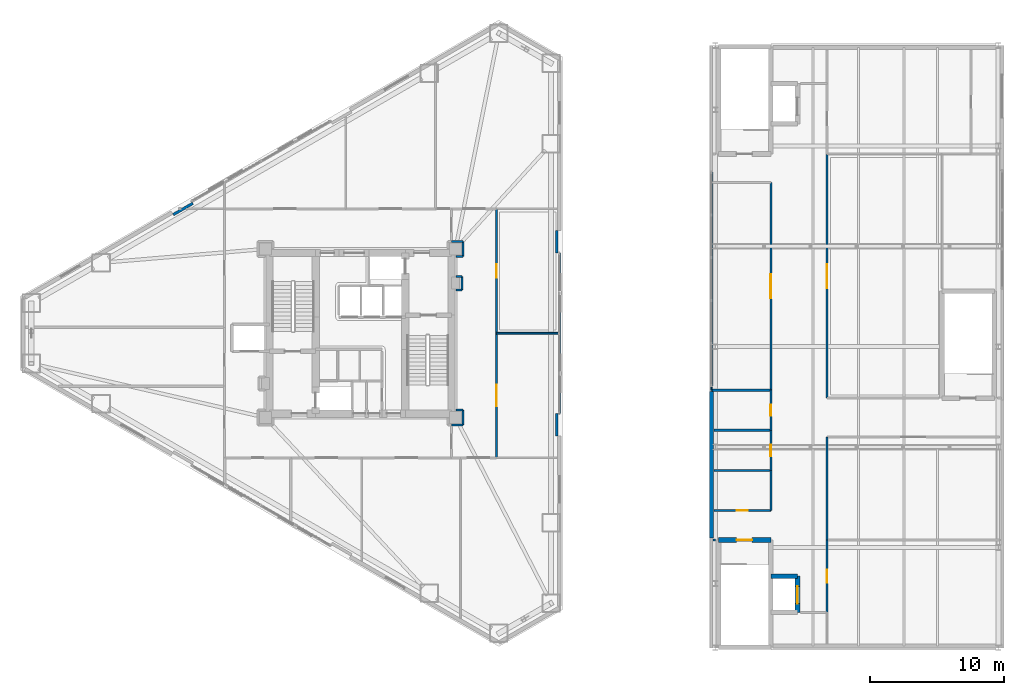
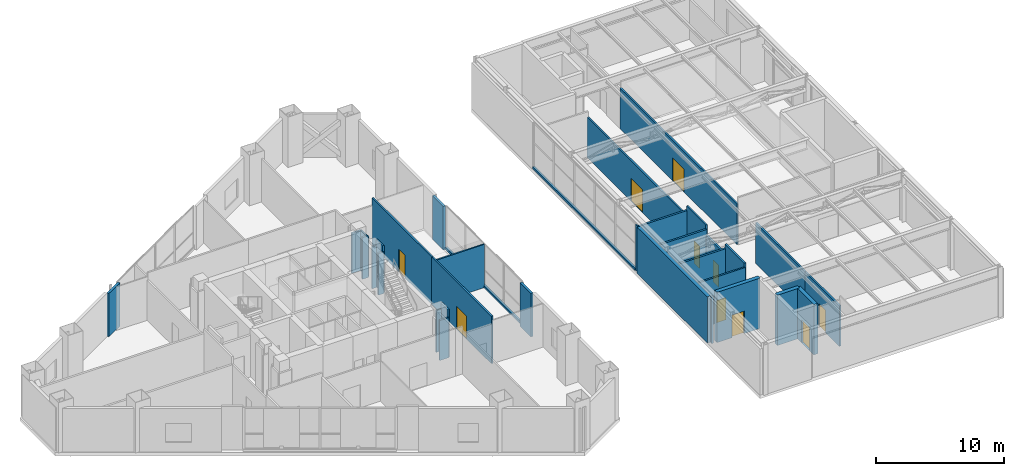
# One storey, part 23 of 27: 34 walls, 10 doors, 10 openings.
"""IFC4 building model written with IfcOpenShell, lengths in metres."""

from ifc_helpers import new_model, si_unit, direction, frame, frame_2d, origin, place, context, subcontext, project, spatial, rectangle, extrude, material, layer, layer_set, type_object, element, fill, save


model = new_model("IFC4")

# Units and contexts
model_context = context("Model", 3, precision=1e-05, world=origin(), true_north=direction((0.0, 1.0)))
body_context = subcontext(model_context, "Body", "Model", "MODEL_VIEW")
ifc_project = project(units=[si_unit("LENGTHUNIT", "METRE"), si_unit("AREAUNIT", "SQUARE_METRE"), si_unit("VOLUMEUNIT", "CUBIC_METRE"), si_unit("PLANEANGLEUNIT", "RADIAN"), si_unit("MASSUNIT", "GRAM", prefix="KILO")], contexts=[model_context])

# Site, building, storey
site_placement = place(None, origin())
site = spatial("IfcSite", under=ifc_project, at=site_placement, CompositionType="ELEMENT")
building_placement = place(site_placement, origin())
building = spatial("IfcBuilding", under=site, at=building_placement, Name="Mersakhor Tower and Convention Hall", CompositionType="ELEMENT")
storey_placement = place(building_placement, frame((0.0, 0.0, 14.39990234375)))
storey = spatial("IfcBuildingStorey", under=building, at=storey_placement, Name="L03", CompositionType="ELEMENT", Elevation=14.39990234375)

# Walls
ifc_material_1 = material(Name="Precast concrete C45/55", Category="concrete")
ifc_layer_1 = layer(ifc_material_1, 0.300048828125)
ifc_layer_set_1 = layer_set([ifc_layer_1], Name="Precast concrete C45/55")
wall_type_1 = type_object("IfcWallType", Name="WL-EXT-300", PredefinedType="SOLIDWALL", material=ifc_layer_set_1)
wall_1_placement = place(storey_placement, frame((55.22509765625, 11.449951171875, 0.0), z_axis=(0.0, 0.0, 1.0), x_axis=(0.0, 1.0, 0.0)))
element("IfcWall", 1, at=wall_1_placement, inside=storey, type_object=wall_type_1, Name="Convention L03 Precast Facade Wall W1", PredefinedType="SOLIDWALL", context=body_context, shape_type="SweptSolid", body=[
    extrude(rectangle(XDim=10.949951171875, YDim=0.300048828125, at=frame_2d((5.47509765625, 0.0))), origin(), (0.0, 0.0, 1.0), 4.41015625),
])
ifc_material_2 = material(Name="Precast concrete C40/50", Category="concrete")
ifc_layer_2 = layer(ifc_material_2, 0.199951171875)
ifc_layer_set_2 = layer_set([ifc_layer_2], Name="Precast concrete C40/50")
wall_type_2 = type_object("IfcWallType", Name="WL-PAR-200", PredefinedType="PARAPET", material=ifc_layer_set_2)
wall_2_placement = place(storey_placement, frame((55.22509765625, 22.800048828125, 0.0), z_axis=(0.0, 0.0, 1.0), x_axis=(0.0, 1.0, 0.0)))
element("IfcWall", 2, at=wall_2_placement, inside=storey, type_object=wall_type_2, Name="Convention L03 West Curtain Wall Upstand", PredefinedType="PARAPET", context=body_context, shape_type="SweptSolid", body=[
    extrude(rectangle(XDim=16.0, YDim=0.199951171875, at=frame_2d((8.0, 0.0))), origin(), (0.0, 0.0, 1.0), 0.2001953125),
])
wall_3_placement = place(storey_placement, frame((15.00830078125, 35.611328125, 0.0), z_axis=(0.0, 0.0, 1.0), x_axis=(0.86605165483, 0.499954529098, 0.0)))
element("IfcWall", 3, at=wall_3_placement, inside=storey, type_object=wall_type_2, Name="L03 Column Pier Cladding Wall F1-C1", PredefinedType="PARAPET", context=body_context, shape_type="SweptSolid", body=[
    extrude(rectangle(XDim=1.699951171875, YDim=0.199951171875, at=frame_2d((0.85009765625, 0.0))), origin(), (0.0, 0.0, 1.0), 4.14013671875),
])
wall_4_placement = place(storey_placement, frame((43.85009765625, 32.736572265625, 0.0), z_axis=(0.0, 0.0, 1.0), x_axis=(0.0, -1.0, 0.0)))
element("IfcWall", 4, at=wall_4_placement, inside=storey, type_object=wall_type_2, Name="L03 Curtain Wall Upstand Sill F2-B2", PredefinedType="PARAPET", context=body_context, shape_type="SweptSolid", body=[
    extrude(rectangle(XDim=11.97314453125, YDim=0.199951171875, at=frame_2d((5.986572265625, 0.0))), origin(), (0.0, 0.0, 1.0), 0.2001953125),
])
for number, where, z_axis, x_axis, name in (
    (5, (43.669921875, 34.4365234375, 0.0), (0.0, 0.0, 1.0), (0.0, -1.0, 0.0), "L03 Column Pier Cladding Wall F2-C1"),
    (6, (43.669921875, 20.763427734375, 0.0), (0.0, 0.0, 1.0), (0.0, -1.0, 0.0), "L03 Column Pier Cladding Wall F2-C2"),
):
    element("IfcWall", number, at=place(storey_placement, frame(where, z_axis=z_axis, x_axis=x_axis)), inside=storey, type_object=wall_type_2, Name=name, PredefinedType="PARAPET", context=body_context, shape_type="SweptSolid", body=[
        extrude(rectangle(XDim=1.699951171875, YDim=0.199951171875, at=frame_2d((0.85009765625, 0.0))), origin(), (0.0, 0.0, 1.0), 4.14013671875),
    ])
ifc_material_3 = material(Name="Moisture-resistant acoustic drywall studwork", Category="other")
ifc_layer_3 = layer(ifc_material_3, 0.175048828125)
ifc_layer_set_3 = layer_set([ifc_layer_3], Name="Moisture-resistant acoustic drywall studwork")
wall_type_3 = type_object("IfcWallType", Name="WL-PLM-175", PredefinedType="PLUMBINGWALL", material=ifc_layer_set_3)
for number, where, z_axis, x_axis, name in (
    (7, (55.39892578125, 16.5, 0.0), (0.0, 0.0, 1.0), (1.0, 0.0, 0.0), "L03 Interior Partition Wall P-076"),
    (8, (55.39892578125, 19.5, 0.0), (0.0, 0.0, 1.0), (1.0, 0.0, 0.0), "L03 Interior Partition Wall P-077"),
):
    element("IfcWall", number, at=place(storey_placement, frame(where, z_axis=z_axis, x_axis=x_axis)), inside=storey, type_object=wall_type_3, Name=name, PredefinedType="PLUMBINGWALL", context=body_context, shape_type="SweptSolid", body=[
        extrude(rectangle(XDim=4.2509765625, YDim=0.175048828125, at=frame_2d((2.12548828125, 0.0))), origin(), (0.0, 0.0, 1.0), 4.41015625),
    ])
wall_5_placement = place(storey_placement, frame((55.22509765625, 22.5, 0.0), z_axis=(0.0, 0.0, 1.0), x_axis=(1.0, 0.0, 0.0)))
element("IfcWall", 9, at=wall_5_placement, inside=storey, type_object=wall_type_3, Name="L03 Interior Partition Wall P-078", PredefinedType="PLUMBINGWALL", context=body_context, shape_type="SweptSolid", body=[
    extrude(rectangle(XDim=4.4248046875, YDim=0.175048828125, at=frame_2d((2.21240234375, 0.0))), origin(), (0.0, 0.0, 1.0), 4.41015625),
])
ifc_material_4 = material(Name="Lightweight gypsum partition", Category="other")
ifc_layer_4 = layer(ifc_material_4, 0.10009765625)
ifc_layer_set_4 = layer_set([ifc_layer_4], Name="Lightweight gypsum partition")
wall_type_4 = type_object("IfcWallType", Name="WL-PRT-100", PredefinedType="PARTITIONING", material=ifc_layer_set_4)
wall_6_placement = place(storey_placement, frame((55.22509765625, 22.5, 0.0), z_axis=(0.0, 0.0, 1.0), x_axis=(0.0, 1.0, 0.0)))
element("IfcWall", 10, at=wall_6_placement, inside=storey, type_object=wall_type_4, Name="L03 Interior Partition Wall P-084", PredefinedType="PARTITIONING", context=body_context, shape_type="SweptSolid", body=[
    extrude(rectangle(XDim=0.300048828125, YDim=0.10009765625, at=frame_2d((0.14990234375, 0.0))), origin(), (0.0, 0.0, 1.0), 4.41015625),
])
ifc_material_5 = material(Name="Gypsum board acoustic partition", Category="other")
ifc_layer_5 = layer(ifc_material_5, 0.125)
ifc_layer_set_5 = layer_set([ifc_layer_5], Name="Gypsum board acoustic partition")
wall_type_5 = type_object("IfcWallType", Name="WL-PRT-125", PredefinedType="PARTITIONING", material=ifc_layer_set_5)
wall_7_placement = place(storey_placement, frame((43.81005859375, 26.75, 0.0), z_axis=(0.0, 0.0, 1.0), x_axis=(-1.0, 0.0, 0.0)))
element("IfcWall", 11, at=wall_7_placement, inside=storey, type_object=wall_type_5, Name="L03 Interior Partition Wall P-097", PredefinedType="PARTITIONING", context=body_context, shape_type="SweptSolid", body=[
    extrude(rectangle(XDim=4.66015625, YDim=0.125, at=frame_2d((2.330078125, 0.0))), origin(), (0.0, 0.0, 1.0), 4.130615234375),
])
ifc_material_6 = material(Name="Fire-rated gypsum board stud partition", Category="other")
ifc_layer_6 = layer(ifc_material_6, 0.14990234375)
ifc_layer_set_6 = layer_set([ifc_layer_6], Name="Fire-rated gypsum board stud partition")
wall_type_6 = type_object("IfcWallType", Name="WL-PRT-150", PredefinedType="PARTITIONING", material=ifc_layer_set_6)
wall_8_placement = place(storey_placement, frame((55.52490234375, 11.300048828125, 0.0), z_axis=(0.0, 0.0, 1.0), x_axis=(-1.0, 0.0, 0.0)))
element("IfcWall", 12, at=wall_8_placement, inside=storey, type_object=wall_type_6, Name="L03 Interior Partition Wall P-019", PredefinedType="PARTITIONING", context=body_context, shape_type="SweptSolid", body=[
    extrude(rectangle(XDim=0.205810546875, YDim=0.14990234375, at=frame_2d((0.10302734375, 0.0))), origin(), (0.0, 0.0, 1.0), 4.41015625),
])

# Wall, opening, door
wall_9_placement = place(storey_placement, frame((55.39892578125, 13.5, 0.0), z_axis=(0.0, 0.0, 1.0), x_axis=(1.0, 0.0, 0.0)))
wall_9 = element("IfcWall", 13, at=wall_9_placement, inside=storey, type_object=wall_type_6, Name="L03 Interior Partition Wall P-020", PredefinedType="PARTITIONING", context=body_context, shape_type="SweptSolid", body=[
    extrude(rectangle(XDim=4.2509765625, YDim=0.14990234375, at=frame_2d((2.12548828125, 0.0))), origin(), (0.0, 0.0, 1.0), 4.41015625),
])
opening_1_placement = place(wall_9_placement, frame((1.700439453125, 0.0, 0.0)))
opening_1 = element("IfcOpeningElement", 14, at=opening_1_placement, cuts=wall_9, Name="Opening SVD-01", PredefinedType="OPENING", context=body_context, shape_type="SweptSolid", body=[
    extrude(rectangle(XDim=0.85009765625, YDim=2.10009765625, at=frame_2d((0.425048828125, 1.050048828125))), frame((0.0, 0.0849609375, 0.0), z_axis=(0.0, -1.0, 0.0), x_axis=(1.0, 0.0, 0.0)), (0.0, 0.0, 1.0), 0.169921875),
])
ifc_material_7 = material(Name="Fire-rated hardwood leaf and painted steel frame", Category="steel")
door_type_1 = type_object("IfcDoorType", Name="DR-INT-SVC-085x210", OperationType="NOTDEFINED", PredefinedType="DOOR", material=ifc_material_7)
door_1_placement = place(opening_1_placement, origin())
door_1 = element("IfcDoor", 15, at=door_1_placement, inside=storey, type_object=door_type_1, Name="L03 Convention Hall Concourse Corridor to Convention Public Male Toilets Door", OperationType="SINGLE_SWING_LEFT", OverallHeight=2.10009765625, OverallWidth=0.85009765625, PredefinedType="DOOR", context=body_context, shape_type="SweptSolid", body=[
    extrude(rectangle(XDim=0.85009765625, YDim=2.10009765625, at=frame_2d((0.425048828125, 1.050048828125))), frame((0.0, 0.02490234375, 0.0), z_axis=(0.0, -1.0, 0.0), x_axis=(1.0, 0.0, 0.0)), (0.0, 0.0, 1.0), 0.050048828125),
])
fill(opening_1, door_1)

# Wall
wall_10_placement = place(storey_placement, frame((59.64990234375, 13.5, 0.0), z_axis=(0.0, 0.0, 1.0), x_axis=(0.0, 1.0, 0.0)))
element("IfcWall", 16, at=wall_10_placement, inside=storey, type_object=wall_type_6, Name="L03 Interior Partition Wall P-021", PredefinedType="PARTITIONING", context=body_context, shape_type="SweptSolid", body=[
    extrude(rectangle(XDim=3.0, YDim=0.14990234375, at=frame_2d((1.5, 0.0))), origin(), (0.0, 0.0, 1.0), 4.800048828125),
])

# Wall, opening, door
wall_11_placement = place(storey_placement, frame((59.64990234375, 16.5, 0.0), z_axis=(0.0, 0.0, 1.0), x_axis=(0.0, 1.0, 0.0)))
wall_11 = element("IfcWall", 17, at=wall_11_placement, inside=storey, type_object=wall_type_6, Name="L03 Interior Partition Wall P-022", PredefinedType="PARTITIONING", context=body_context, shape_type="SweptSolid", body=[
    extrude(rectangle(XDim=3.0, YDim=0.14990234375, at=frame_2d((1.5, 0.0))), origin(), (0.0, 0.0, 1.0), 3.8583984375),
])
opening_2_placement = place(wall_11_placement, frame((1.074951171875, 0.0, 0.0)))
opening_2 = element("IfcOpeningElement", 18, at=opening_2_placement, cuts=wall_11, Name="Opening SVD-01", PredefinedType="OPENING", context=body_context, shape_type="SweptSolid", body=[
    extrude(rectangle(XDim=0.85009765625, YDim=2.10009765625, at=frame_2d((0.425048828125, 1.050048828125))), frame((0.0, 0.0849609375, 0.0), z_axis=(0.0, -1.0, 0.0), x_axis=(1.0, 0.0, 0.0)), (0.0, 0.0, 1.0), 0.169921875),
])
door_2_placement = place(opening_2_placement, origin())
door_2 = element("IfcDoor", 19, at=door_2_placement, inside=storey, type_object=door_type_1, Name="L03 Convention Hall Concourse Corridor to Convention Public Female Toilets Door", OperationType="SINGLE_SWING_RIGHT", OverallHeight=2.10009765625, OverallWidth=0.85009765625, PredefinedType="DOOR", context=body_context, shape_type="SweptSolid", body=[
    extrude(rectangle(XDim=0.85009765625, YDim=2.10009765625, at=frame_2d((0.425048828125, 1.050048828125))), frame((0.0, 0.02490234375, 0.0), z_axis=(0.0, -1.0, 0.0), x_axis=(1.0, 0.0, 0.0)), (0.0, 0.0, 1.0), 0.050048828125),
])
fill(opening_2, door_2)

wall_12_placement = place(storey_placement, frame((59.64990234375, 19.5, 0.0), z_axis=(0.0, 0.0, 1.0), x_axis=(0.0, 1.0, 0.0)))
wall_12 = element("IfcWall", 20, at=wall_12_placement, inside=storey, type_object=wall_type_6, Name="L03 Interior Partition Wall P-023", PredefinedType="PARTITIONING", context=body_context, shape_type="SweptSolid", body=[
    extrude(rectangle(XDim=3.0, YDim=0.14990234375, at=frame_2d((1.5, 0.0))), origin(), (0.0, 0.0, 1.0), 4.800048828125),
])
opening_3_placement = place(wall_12_placement, frame((1.074951171875, 0.0, 0.0)))
opening_3 = element("IfcOpeningElement", 21, at=opening_3_placement, cuts=wall_12, Name="Opening SVD-01", PredefinedType="OPENING", context=body_context, shape_type="SweptSolid", body=[
    extrude(rectangle(XDim=0.85009765625, YDim=2.10009765625, at=frame_2d((0.425048828125, 1.050048828125))), frame((0.0, 0.0849609375, 0.0), z_axis=(0.0, -1.0, 0.0), x_axis=(1.0, 0.0, 0.0)), (0.0, 0.0, 1.0), 0.169921875),
])
door_3_placement = place(opening_3_placement, origin())
door_3 = element("IfcDoor", 22, at=door_3_placement, inside=storey, type_object=door_type_1, Name="L03 Convention Hall Concourse Corridor to Convention Accessible Toilet WC Door", OperationType="SINGLE_SWING_LEFT", OverallHeight=2.10009765625, OverallWidth=0.85009765625, PredefinedType="DOOR", context=body_context, shape_type="SweptSolid", body=[
    extrude(rectangle(XDim=0.85009765625, YDim=2.10009765625, at=frame_2d((0.425048828125, 1.050048828125))), frame((0.0, 0.02490234375, 0.0), z_axis=(0.0, -1.0, 0.0), x_axis=(1.0, 0.0, 0.0)), (0.0, 0.0, 1.0), 0.050048828125),
])
fill(opening_3, door_3)

wall_13_placement = place(storey_placement, frame((59.64990234375, 22.5, 0.0), z_axis=(0.0, 0.0, 1.0), x_axis=(0.0, 1.0, 0.0)))
wall_13 = element("IfcWall", 23, at=wall_13_placement, inside=storey, type_object=wall_type_6, Name="L03 Interior Partition Wall P-024", PredefinedType="PARTITIONING", context=body_context, shape_type="SweptSolid", body=[
    extrude(rectangle(XDim=15.5, YDim=0.14990234375, at=frame_2d((7.75, 0.0))), origin(), (0.0, 0.0, 1.0), 3.8583984375),
])
opening_4_placement = place(wall_13_placement, frame((6.85009765625, 0.0, 0.0)))
opening_4 = element("IfcOpeningElement", 24, at=opening_4_placement, cuts=wall_13, Name="Opening HD-01", PredefinedType="OPENING", context=body_context, shape_type="SweptSolid", body=[
    extrude(rectangle(XDim=1.800048828125, YDim=2.199951171875, at=frame_2d((0.89990234375, 1.10009765625))), frame((0.0, 0.0849609375, 0.0), z_axis=(0.0, -1.0, 0.0), x_axis=(1.0, 0.0, 0.0)), (0.0, 0.0, 1.0), 0.169921875),
])
ifc_material_8 = material(Name="Fire-rated hardwood leaf and painted steel frame", Category="steel")
door_type_2 = type_object("IfcDoorType", Name="DR-INT-HALL-180x220", OperationType="NOTDEFINED", PredefinedType="DOOR", material=ifc_material_8)
door_4_placement = place(opening_4_placement, origin())
door_4 = element("IfcDoor", 25, at=door_4_placement, inside=storey, type_object=door_type_2, Name="L03 Convention Hall Concourse Corridor to Executive Boardroom Suite Door", OperationType="DOUBLE_DOOR_SINGLE_SWING", OverallHeight=2.199951171875, OverallWidth=1.800048828125, PredefinedType="DOOR", context=body_context, shape_type="SweptSolid", body=[
    extrude(rectangle(XDim=1.800048828125, YDim=2.199951171875, at=frame_2d((0.89990234375, 1.10009765625))), frame((0.0, 0.02490234375, 0.0), z_axis=(0.0, -1.0, 0.0), x_axis=(1.0, 0.0, 0.0)), (0.0, 0.0, 1.0), 0.050048828125),
])
fill(opening_4, door_4)

wall_14_placement = place(storey_placement, frame((63.85009765625, 40.14990234375, 0.0), z_axis=(0.0, 0.0, 1.0), x_axis=(0.0, -1.0, 0.0)))
wall_14 = element("IfcWall", 26, at=wall_14_placement, inside=storey, type_object=wall_type_6, Name="L03 Interior Partition Wall P-029", PredefinedType="PARTITIONING", context=body_context, shape_type="SweptSolid", body=[
    extrude(rectangle(XDim=18.25, YDim=0.14990234375, at=frame_2d((9.125, 0.0))), origin(), (0.0, 0.0, 1.0), 3.8583984375),
])
opening_5_placement = place(wall_14_placement, frame((8.22509765625, 0.0, 0.0)))
opening_5 = element("IfcOpeningElement", 27, at=opening_5_placement, cuts=wall_14, Name="Opening HD-01", PredefinedType="OPENING", context=body_context, shape_type="SweptSolid", body=[
    extrude(rectangle(XDim=1.800048828125, YDim=2.199951171875, at=frame_2d((0.89990234375, 1.10009765625))), frame((0.0, 0.0849609375, 0.0), z_axis=(0.0, -1.0, 0.0), x_axis=(1.0, 0.0, 0.0)), (0.0, 0.0, 1.0), 0.169921875),
])
door_5_placement = place(opening_5_placement, origin())
door_5 = element("IfcDoor", 28, at=door_5_placement, inside=storey, type_object=door_type_2, Name="L03 Convention Hall Concourse Corridor to Civic Multipurpose Ballroom Hall Door", OperationType="DOUBLE_DOOR_SINGLE_SWING", OverallHeight=2.199951171875, OverallWidth=1.800048828125, PredefinedType="DOOR", context=body_context, shape_type="SweptSolid", body=[
    extrude(rectangle(XDim=1.800048828125, YDim=2.199951171875, at=frame_2d((0.89990234375, 1.10009765625))), frame((0.0, 0.02490234375, 0.0), z_axis=(0.0, -1.0, 0.0), x_axis=(1.0, 0.0, 0.0)), (0.0, 0.0, 1.0), 0.050048828125),
])
fill(opening_5, door_5)

# Wall
wall_15_placement = place(storey_placement, frame((63.85009765625, 19.0, 0.0), z_axis=(0.0, 0.0, 1.0), x_axis=(0.0, -1.0, 0.0)))
element("IfcWall", 29, at=wall_15_placement, inside=storey, type_object=wall_type_6, Name="L03 Interior Partition Wall P-033", PredefinedType="PARTITIONING", context=body_context, shape_type="SweptSolid", body=[
    extrude(rectangle(XDim=7.699951171875, YDim=0.14990234375, at=frame_2d((3.85009765625, 0.0))), origin(), (0.0, 0.0, 1.0), 3.8583984375),
])

# Wall, opening, door
wall_16_placement = place(storey_placement, frame((63.85009765625, 11.300048828125, 0.0), z_axis=(0.0, 0.0, 1.0), x_axis=(0.0, -1.0, 0.0)))
wall_16 = element("IfcWall", 30, at=wall_16_placement, inside=storey, type_object=wall_type_6, Name="L03 Interior Partition Wall P-034", PredefinedType="PARTITIONING", context=body_context, shape_type="SweptSolid", body=[
    extrude(rectangle(XDim=5.400146484375, YDim=0.14990234375, at=frame_2d((2.7001953125, 0.0))), origin(), (0.0, 0.0, 1.0), 3.8583984375),
])
opening_6_placement = place(wall_16_placement, frame((2.199951171875, 0.0, 0.0)))
opening_6 = element("IfcOpeningElement", 31, at=opening_6_placement, cuts=wall_16, Name="Opening FD-01", PredefinedType="OPENING", context=body_context, shape_type="SweptSolid", body=[
    extrude(rectangle(XDim=1.0, YDim=2.14990234375, at=frame_2d((0.5, 1.074951171875))), frame((0.0, 0.0849609375, 0.0), z_axis=(0.0, -1.0, 0.0), x_axis=(1.0, 0.0, 0.0)), (0.0, 0.0, 1.0), 0.169921875),
])
ifc_material_9 = material(Name="Fire-rated hardwood leaf and painted steel frame", Category="steel")
door_type_3 = type_object("IfcDoorType", Name="DR-INT-FLT-100x215", OperationType="NOTDEFINED", PredefinedType="DOOR", material=ifc_material_9)
door_6_placement = place(opening_6_placement, origin())
door_6 = element("IfcDoor", 32, at=door_6_placement, inside=storey, type_object=door_type_3, Name="L03 Convention Hall Concourse Corridor to Simultaneous Interpretation and AV Control Office Door", OperationType="SINGLE_SWING_LEFT", OverallHeight=2.14990234375, OverallWidth=1.0, PredefinedType="DOOR", context=body_context, shape_type="SweptSolid", body=[
    extrude(rectangle(XDim=1.0, YDim=2.14990234375, at=frame_2d((0.5, 1.074951171875))), frame((0.0, 0.02490234375, 0.0), z_axis=(0.0, -1.0, 0.0), x_axis=(1.0, 0.0, 0.0)), (0.0, 0.0, 1.0), 0.050048828125),
])
fill(opening_6, door_6)

# Walls
wall_17_placement = place(storey_placement, frame((36.64990234375, 21.0, 0.0), z_axis=(0.0, 0.0, 1.0), x_axis=(-1.0, 0.0, 0.0)))
element("IfcWall", 33, at=wall_17_placement, inside=storey, type_object=wall_type_6, Name="L03 Interior Partition Wall P-062", PredefinedType="PARTITIONING", context=body_context, shape_type="SweptSolid", body=[
    extrude(rectangle(XDim=0.52490234375, YDim=0.14990234375, at=frame_2d((0.262451171875, 0.0))), origin(), (0.0, 0.0, 1.0), 3.968505859375),
])
wall_18_placement = place(storey_placement, frame((36.125, 30.0, 0.0), z_axis=(0.0, 0.0, 1.0), x_axis=(1.0, 0.0, 0.0)))
element("IfcWall", 34, at=wall_18_placement, inside=storey, type_object=wall_type_6, Name="L03 Interior Partition Wall P-063", PredefinedType="PARTITIONING", context=body_context, shape_type="SweptSolid", body=[
    extrude(rectangle(XDim=0.47509765625, YDim=0.14990234375, at=frame_2d((0.237548828125, 0.0))), origin(), (0.0, 0.0, 1.0), 3.968505859375),
])
wall_19_placement = place(storey_placement, frame((36.60009765625, 30.0, 0.0), z_axis=(0.0, 0.0, 1.0), x_axis=(0.0, 1.0, 0.0)))
element("IfcWall", 35, at=wall_19_placement, inside=storey, type_object=wall_type_6, Name="L03 Interior Partition Wall P-064", PredefinedType="PARTITIONING", context=body_context, shape_type="SweptSolid", body=[
    extrude(rectangle(XDim=1.0, YDim=0.14990234375, at=frame_2d((0.5, 0.0))), origin(), (0.0, 0.0, 1.0), 4.52001953125),
])
wall_20_placement = place(storey_placement, frame((36.60009765625, 31.0, 0.0), z_axis=(0.0, 0.0, 1.0), x_axis=(-1.0, 0.0, 0.0)))
element("IfcWall", 36, at=wall_20_placement, inside=storey, type_object=wall_type_6, Name="L03 Interior Partition Wall P-065", PredefinedType="PARTITIONING", context=body_context, shape_type="SweptSolid", body=[
    extrude(rectangle(XDim=0.47509765625, YDim=0.14990234375, at=frame_2d((0.237548828125, 0.0))), origin(), (0.0, 0.0, 1.0), 3.968505859375),
])
wall_21_placement = place(storey_placement, frame((36.125, 32.5, 0.0), z_axis=(0.0, 0.0, 1.0), x_axis=(1.0, 0.0, 0.0)))
element("IfcWall", 37, at=wall_21_placement, inside=storey, type_object=wall_type_6, Name="L03 Interior Partition Wall P-066", PredefinedType="PARTITIONING", context=body_context, shape_type="SweptSolid", body=[
    extrude(rectangle(XDim=0.52490234375, YDim=0.14990234375, at=frame_2d((0.262451171875, 0.0))), origin(), (0.0, 0.0, 1.0), 3.968505859375),
])
wall_22_placement = place(storey_placement, frame((36.64990234375, 32.5, 0.0), z_axis=(0.0, 0.0, 1.0), x_axis=(0.0, 1.0, 0.0)))
element("IfcWall", 38, at=wall_22_placement, inside=storey, type_object=wall_type_6, Name="L03 Interior Partition Wall P-067", PredefinedType="PARTITIONING", context=body_context, shape_type="SweptSolid", body=[
    extrude(rectangle(XDim=1.10009765625, YDim=0.14990234375, at=frame_2d((0.550048828125, 0.0))), origin(), (0.0, 0.0, 1.0), 3.817626953125),
])
wall_23_placement = place(storey_placement, frame((36.64990234375, 33.60009765625, 0.0), z_axis=(0.0, 0.0, 1.0), x_axis=(-1.0, 0.0, 0.0)))
element("IfcWall", 39, at=wall_23_placement, inside=storey, type_object=wall_type_6, Name="L03 Interior Partition Wall P-068", PredefinedType="PARTITIONING", context=body_context, shape_type="SweptSolid", body=[
    extrude(rectangle(XDim=0.849853515625, YDim=0.14990234375, at=frame_2d((0.4248046875, 0.0))), origin(), (0.0, 0.0, 1.0), 3.817626953125),
])

# Wall, opening, door
wall_24_placement = place(storey_placement, frame((39.14990234375, 36.050048828125, 0.0), z_axis=(0.0, 0.0, 1.0), x_axis=(0.0, -1.0, 0.0)))
wall_24 = element("IfcWall", 40, at=wall_24_placement, inside=storey, type_object=wall_type_6, Name="L03 Interior Partition Wall P-070", PredefinedType="PARTITIONING", context=body_context, shape_type="SweptSolid", body=[
    extrude(rectangle(XDim=9.300048828125, YDim=0.14990234375, at=frame_2d((4.64990234375, 0.0))), origin(), (0.0, 0.0, 1.0), 4.52001953125),
])
opening_7_placement = place(wall_24_placement, frame((4.14990234375, 0.0, 0.0)))
opening_7 = element("IfcOpeningElement", 41, at=opening_7_placement, cuts=wall_24, Name="Opening FD-01", PredefinedType="OPENING", context=body_context, shape_type="SweptSolid", body=[
    extrude(rectangle(XDim=1.0, YDim=2.14990234375, at=frame_2d((0.5, 1.074951171875))), frame((0.0, 0.0849609375, 0.0), z_axis=(0.0, -1.0, 0.0), x_axis=(1.0, 0.0, 0.0)), (0.0, 0.0, 1.0), 0.169921875),
])
door_7_placement = place(opening_7_placement, origin())
door_7 = element("IfcDoor", 42, at=door_7_placement, inside=storey, type_object=door_type_3, Name="L03 L03 Primary Healthcare Clinical East Corridor to Patient Waiting Lounge Door", OperationType="SINGLE_SWING_LEFT", OverallHeight=2.14990234375, OverallWidth=1.0, PredefinedType="DOOR", context=body_context, shape_type="SweptSolid", body=[
    extrude(rectangle(XDim=1.0, YDim=2.14990234375, at=frame_2d((0.5, 1.074951171875))), frame((0.0, 0.02490234375, 0.0), z_axis=(0.0, -1.0, 0.0), x_axis=(1.0, 0.0, 0.0)), (0.0, 0.0, 1.0), 0.050048828125),
])
fill(opening_7, door_7)

wall_25_placement = place(storey_placement, frame((39.14990234375, 26.75, 0.0), z_axis=(0.0, 0.0, 1.0), x_axis=(0.0, -1.0, 0.0)))
wall_25 = element("IfcWall", 43, at=wall_25_placement, inside=storey, type_object=wall_type_6, Name="L03 Interior Partition Wall P-071", PredefinedType="PARTITIONING", context=body_context, shape_type="SweptSolid", body=[
    extrude(rectangle(XDim=9.300048828125, YDim=0.14990234375, at=frame_2d((4.64990234375, 0.0))), origin(), (0.0, 0.0, 1.0), 4.52001953125),
])
opening_8_placement = place(wall_25_placement, frame((3.85009765625, 0.0, 0.0)))
opening_8 = element("IfcOpeningElement", 44, at=opening_8_placement, cuts=wall_25, Name="Opening CD-01", PredefinedType="OPENING", context=body_context, shape_type="SweptSolid", body=[
    extrude(rectangle(XDim=1.60009765625, YDim=2.199951171875, at=frame_2d((0.800048828125, 1.10009765625))), frame((0.0, 0.0849609375, 0.0), z_axis=(0.0, -1.0, 0.0), x_axis=(1.0, 0.0, 0.0)), (0.0, 0.0, 1.0), 0.169921875),
])
ifc_material_10 = material(Name="Fire-rated hardwood leaf and painted steel frame", Category="steel")
door_type_4 = type_object("IfcDoorType", Name="DR-INT-COR-160x220", OperationType="NOTDEFINED", PredefinedType="DOOR", material=ifc_material_10)
door_8_placement = place(opening_8_placement, origin())
door_8 = element("IfcDoor", 45, at=door_8_placement, inside=storey, type_object=door_type_4, Name="L03 L03 Primary Healthcare Clinical East Corridor to Diagnostic Ultrasound Room Door", OperationType="DOUBLE_DOOR_SINGLE_SWING", OverallHeight=2.199951171875, OverallWidth=1.60009765625, PredefinedType="DOOR", context=body_context, shape_type="SweptSolid", body=[
    extrude(rectangle(XDim=1.60009765625, YDim=2.199951171875, at=frame_2d((0.800048828125, 1.10009765625))), frame((0.0, 0.02490234375, 0.0), z_axis=(0.0, -1.0, 0.0), x_axis=(1.0, 0.0, 0.0)), (0.0, 0.0, 1.0), 0.050048828125),
])
fill(opening_8, door_8)

# Walls
wall_26_placement = place(storey_placement, frame((35.800048828125, 19.89990234375, 0.0), z_axis=(0.0, 0.0, 1.0), x_axis=(1.0, 0.0, 0.0)))
element("IfcWall", 46, at=wall_26_placement, inside=storey, type_object=wall_type_6, Name="L03 Interior Partition Wall P-074", PredefinedType="PARTITIONING", context=body_context, shape_type="SweptSolid", body=[
    extrude(rectangle(XDim=0.849853515625, YDim=0.14990234375, at=frame_2d((0.4248046875, 0.0))), origin(), (0.0, 0.0, 1.0), 3.817626953125),
])
wall_27_placement = place(storey_placement, frame((36.64990234375, 19.89990234375, 0.0), z_axis=(0.0, 0.0, 1.0), x_axis=(0.0, 1.0, 0.0)))
element("IfcWall", 47, at=wall_27_placement, inside=storey, type_object=wall_type_6, Name="L03 Interior Partition Wall P-075", PredefinedType="PARTITIONING", context=body_context, shape_type="SweptSolid", body=[
    extrude(rectangle(XDim=1.10009765625, YDim=0.14990234375, at=frame_2d((0.550048828125, 0.0))), origin(), (0.0, 0.0, 1.0), 4.52001953125),
])

# Wall, opening, door
ifc_material_11 = material(Name="Concrete C50/60", Category="concrete")
ifc_layer_7 = layer(ifc_material_11, 0.35009765625)
ifc_layer_set_7 = layer_set([ifc_layer_7], Name="Concrete C50/60")
wall_type_7 = type_object("IfcWallType", Name="WL-SHR-350", PredefinedType="SHEAR", material=ifc_layer_set_7)
wall_28_placement = place(storey_placement, frame((61.64990234375, 5.89990234375, 0.0), z_axis=(0.0, 0.0, 1.0), x_axis=(0.0, 1.0, 0.0)))
wall_28 = element("IfcWall", 48, at=wall_28_placement, inside=storey, type_object=wall_type_7, Name="L03 CVL1 Shaft Front Wall", PredefinedType="SHEAR", context=body_context, shape_type="SweptSolid", body=[
    extrude(rectangle(XDim=2.7001953125, YDim=0.35009765625, at=frame_2d((1.35009765625, 0.0))), origin(), (0.0, 0.0, 1.0), 4.800048828125),
])
opening_9_placement = place(wall_28_placement, frame((0.64990234375, 0.0, 0.0)))
opening_9 = element("IfcOpeningElement", 49, at=opening_9_placement, cuts=wall_28, Name="Opening LD-CVL1", PredefinedType="OPENING", context=body_context, shape_type="SweptSolid", body=[
    extrude(rectangle(XDim=1.300048828125, YDim=2.199951171875, at=frame_2d((0.64990234375, 1.10009765625))), frame((0.0, 0.18505859375, 0.0), z_axis=(0.0, -1.0, 0.0), x_axis=(1.0, 0.0, 0.0)), (0.0, 0.0, 1.0), 0.3701171875),
])
ifc_material_12 = material(Name="Fire-rated brushed stainless steel sliding landing door", Category="steel")
door_type_5 = type_object("IfcDoorType", Name="DR-LIFT-SLD-130x220", OperationType="NOTDEFINED", PredefinedType="DOOR", material=ifc_material_12)
door_9_placement = place(opening_9_placement, origin())
door_9 = element("IfcDoor", 50, at=door_9_placement, inside=storey, type_object=door_type_5, Name="L03 Convention Lift Landing Door LD-CVL1", OperationType="SLIDING_TO_LEFT", OverallHeight=2.199951171875, OverallWidth=1.300048828125, PredefinedType="DOOR", context=body_context, shape_type="SweptSolid", body=[
    extrude(rectangle(XDim=1.300048828125, YDim=2.199951171875, at=frame_2d((0.64990234375, 1.10009765625))), frame((0.0, 0.02490234375, 0.0), z_axis=(0.0, -1.0, 0.0), x_axis=(1.0, 0.0, 0.0)), (0.0, 0.0, 1.0), 0.050048828125),
])
fill(opening_9, door_9)

# Wall
wall_29_placement = place(storey_placement, frame((59.64990234375, 8.60009765625, 0.0), z_axis=(0.0, 0.0, 1.0), x_axis=(1.0, 0.0, 0.0)))
element("IfcWall", 51, at=wall_29_placement, inside=storey, type_object=wall_type_7, Name="L03 CVL1 Shaft North Wall", PredefinedType="SHEAR", context=body_context, shape_type="SweptSolid", body=[
    extrude(rectangle(XDim=2.0, YDim=0.35009765625, at=frame_2d((1.0, 0.0))), origin(), (0.0, 0.0, 1.0), 4.800048828125),
])

# Wall, opening, door
wall_30_placement = place(storey_placement, frame((55.75, 11.300048828125, 0.0), z_axis=(0.0, 0.0, 1.0), x_axis=(1.0, 0.0, 0.0)))
wall_30 = element("IfcWall", 52, at=wall_30_placement, inside=storey, type_object=wall_type_7, Name="L03 CHST1 North Shear Wall", PredefinedType="SHEAR", context=body_context, shape_type="SweptSolid", body=[
    extrude(rectangle(XDim=3.89990234375, YDim=0.35009765625, at=frame_2d((1.949951171875, 0.0))), origin(), (0.0, 0.0, 1.0), 4.800048828125),
])
opening_10_placement = place(wall_30_placement, frame((1.35009765625, 0.0, 0.0)))
opening_10 = element("IfcOpeningElement", 53, at=opening_10_placement, cuts=wall_30, Name="Opening SD-01", PredefinedType="OPENING", context=body_context, shape_type="SweptSolid", body=[
    extrude(rectangle(XDim=1.14990234375, YDim=2.14990234375, at=frame_2d((0.574951171875, 1.074951171875))), frame((0.0, 0.18505859375, 0.0), z_axis=(0.0, -1.0, 0.0), x_axis=(1.0, 0.0, 0.0)), (0.0, 0.0, 1.0), 0.3701171875),
])
ifc_material_13 = material(Name="Fire-rated hardwood leaf and painted steel frame", Category="steel")
door_type_6 = type_object("IfcDoorType", Name="DR-INT-STAIR-115x215", OperationType="NOTDEFINED", PredefinedType="DOOR", material=ifc_material_13)
door_10_placement = place(opening_10_placement, origin())
door_10 = element("IfcDoor", 54, at=door_10_placement, inside=storey, type_object=door_type_6, Name="L03 Convention Stair CH-ST1 Door", OperationType="SINGLE_SWING_LEFT", OverallHeight=2.14990234375, OverallWidth=1.14990234375, PredefinedType="DOOR", context=body_context, shape_type="SweptSolid", body=[
    extrude(rectangle(XDim=1.14990234375, YDim=2.14990234375, at=frame_2d((0.574951171875, 1.074951171875))), frame((0.0, 0.02490234375, 0.0), z_axis=(0.0, -1.0, 0.0), x_axis=(1.0, 0.0, 0.0)), (0.0, 0.0, 1.0), 0.050048828125),
])
fill(opening_10, door_10)

save(model, "model.ifc")
